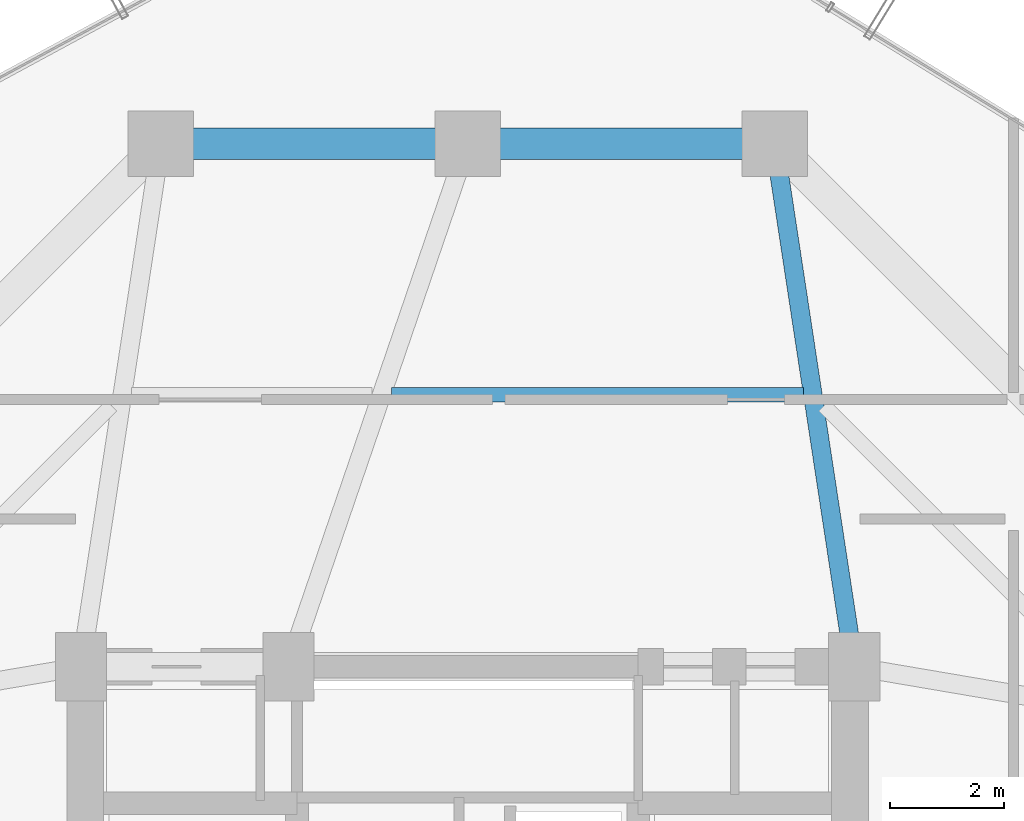
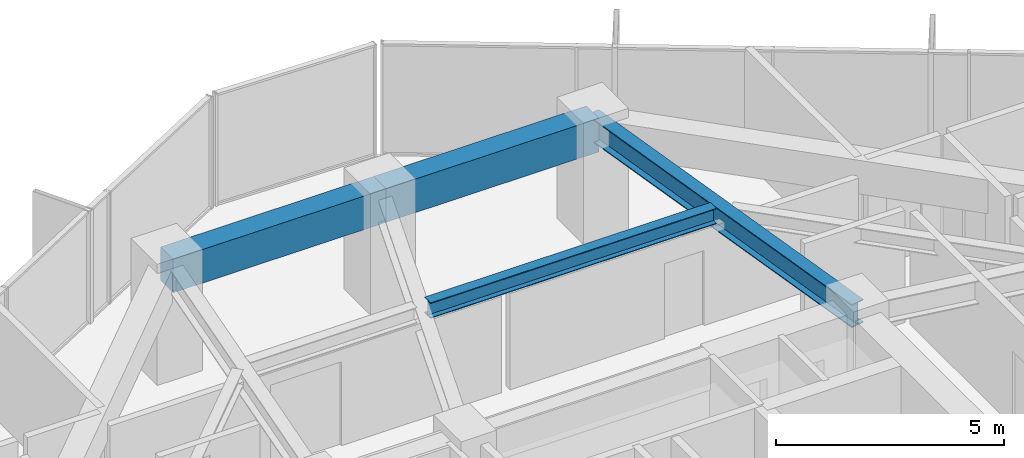
# One storey, part 20 of 30: 4 beams.
"""IFC4 building model written with IfcOpenShell, lengths in metres."""

from ifc_helpers import new_model, si_unit, direction, frame, origin, origin_2d, place, context, subcontext, project, spatial, rectangle, i_section, extrude, material, material_profile, profile_set, type_object, element, save


model = new_model("IFC4")

# Units and contexts
model_context = context("Model", 3, precision=1e-05, world=origin(), true_north=direction((0.0, 1.0)))
body_context = subcontext(model_context, "Body", "Model", "MODEL_VIEW")
ifc_project = project(units=[si_unit("LENGTHUNIT", "METRE"), si_unit("AREAUNIT", "SQUARE_METRE"), si_unit("VOLUMEUNIT", "CUBIC_METRE"), si_unit("PLANEANGLEUNIT", "RADIAN"), si_unit("MASSUNIT", "GRAM", prefix="KILO")], contexts=[model_context])

# Site, building, storey
site_placement = place(None, origin())
site = spatial("IfcSite", under=ifc_project, at=site_placement, CompositionType="ELEMENT")
building_placement = place(site_placement, origin())
building = spatial("IfcBuilding", under=site, at=building_placement, Name="Veraguas Prism Commons", CompositionType="ELEMENT")
storey_placement = place(building_placement, frame((0.0, 0.0, 123.0)))
storey = spatial("IfcBuildingStorey", under=building, at=storey_placement, Name="L34", CompositionType="ELEMENT", Elevation=123.0)

# Beams
ifc_material_1 = material(Name="Steel ASTM A992 Grade 50", Category="steel")
ifc_material_profile_1 = material_profile(ifc_material_1, i_section(OverallWidth=0.260986328125, OverallDepth=0.419921875, WebThickness=0.01171875, FlangeThickness=0.019287109375, at=origin_2d()), Name="W410X114")
ifc_profile_set_1 = profile_set([ifc_material_profile_1], Name="Steel ASTM A992 Grade 50")
beam_type_1 = type_object("IfcBeamType", Name="Lower Floor Joist W410x114", PredefinedType="JOIST", material=ifc_profile_set_1)
beam_1_placement = place(storey_placement, frame((29.908203125, 35.783935546875, 2.7900390625), z_axis=(-1.0, 0.0, 0.0), x_axis=(0.0, -1.0, 0.0)))
element("IfcBeam", 1, at=beam_1_placement, inside=storey, type_object=beam_type_1, Name="Composite Floor Joist L34-JS04", PredefinedType="JOIST", context=body_context, shape_type="SweptSolid", body=[
    extrude(i_section(OverallWidth=0.260986328125, OverallDepth=0.419921875, WebThickness=0.01171875, FlangeThickness=0.019287109375, at=origin_2d()), origin(), (0.0, 0.0, 1.0), 7.2490234375),
])
ifc_material_2 = material(Name="Concrete C50/60", Category="concrete")
ifc_material_profile_2 = material_profile(ifc_material_2, rectangle(XDim=0.550048828125, YDim=0.89990234375, at=origin_2d()), Name="RC550X900")
ifc_profile_set_2 = profile_set([ifc_material_profile_2], Name="Concrete C50/60")
beam_type_2 = type_object("IfcBeamType", Name="Perimeter Spandrel Lower RC 550x900", PredefinedType="SPANDREL", material=ifc_profile_set_2)
for number, where, z_axis, x_axis, name in (
    (2, (29.39990234375, 40.199951171875, 2.550048828125), (-1.0, 0.0, 0.0), (0.0, -1.0, 0.0), "Perimeter Spandrel Beam L34-SP04"),
    (3, (24.0, 40.199951171875, 2.550048828125), (-1.0, 0.0, 0.0), (0.0, -1.0, 0.0), "Perimeter Spandrel Beam L34-SP05"),
):
    element("IfcBeam", number, at=place(storey_placement, frame(where, z_axis=z_axis, x_axis=x_axis)), inside=storey, type_object=beam_type_2, Name=name, PredefinedType="SPANDREL", context=body_context, shape_type="SweptSolid", body=[
        extrude(rectangle(XDim=0.550048828125, YDim=0.89990234375, at=origin_2d()), origin(), (0.0, 0.0, 1.0), 5.39990234375),
    ])
ifc_material_profile_3 = material_profile(ifc_material_1, i_section(OverallWidth=0.327880859375, OverallDepth=0.6220703125, WebThickness=0.015380859375, FlangeThickness=0.0244140625, at=origin_2d()), Name="W610X195")
ifc_profile_set_3 = profile_set([ifc_material_profile_3], Name="Steel ASTM A992 Grade 50")
beam_type_3 = type_object("IfcBeamType", Name="Zone 2 Radial Girder W610x195", PredefinedType="BEAM", material=ifc_profile_set_3)
beam_2_placement = place(storey_placement, frame((29.39990234375, 40.199951171875, 2.68896484375), z_axis=(0.150458162136, -0.98861637729, 0.0), x_axis=(0.98861637729, 0.150458162136, 0.0)))
element("IfcBeam", 4, at=beam_2_placement, inside=storey, type_object=beam_type_3, Name="Radial Floor Girder L34-RD04", PredefinedType="BEAM", context=body_context, shape_type="SweptSolid", body=[
    extrude(i_section(OverallWidth=0.327880859375, OverallDepth=0.6220703125, WebThickness=0.015380859375, FlangeThickness=0.0244140625, at=origin_2d()), origin(), (0.0, 0.0, 1.0), 9.305908203125),
])

save(model, "model.ifc")
